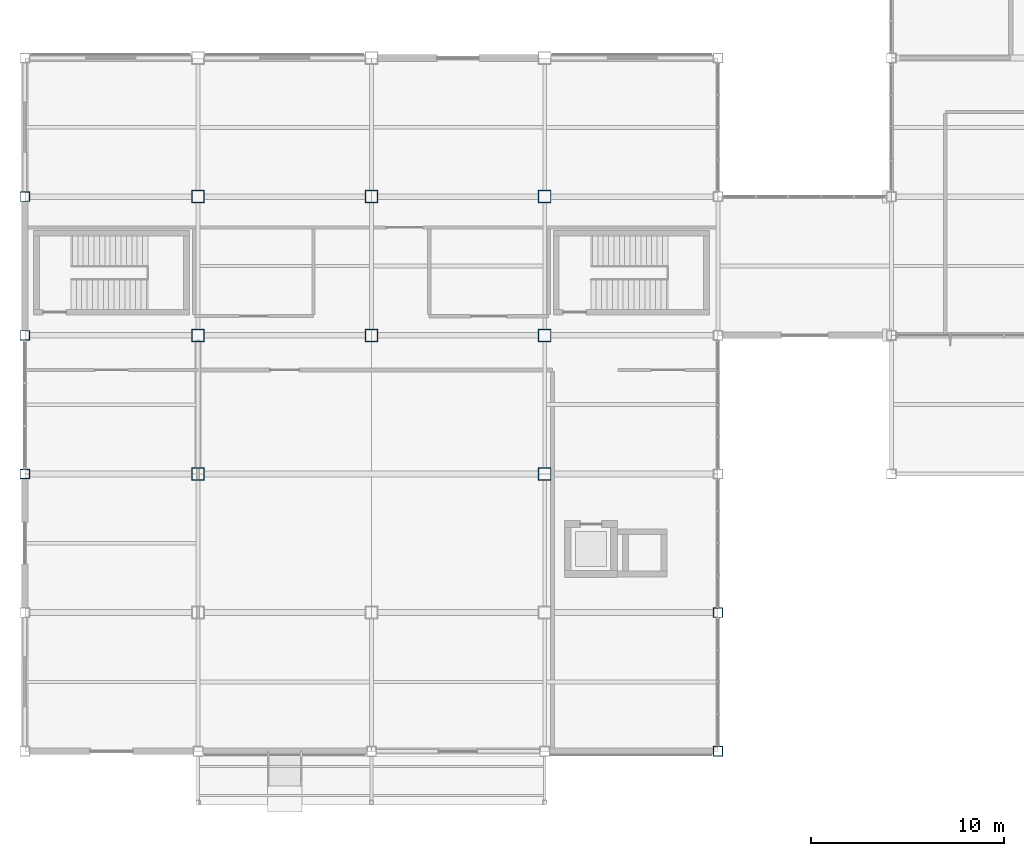
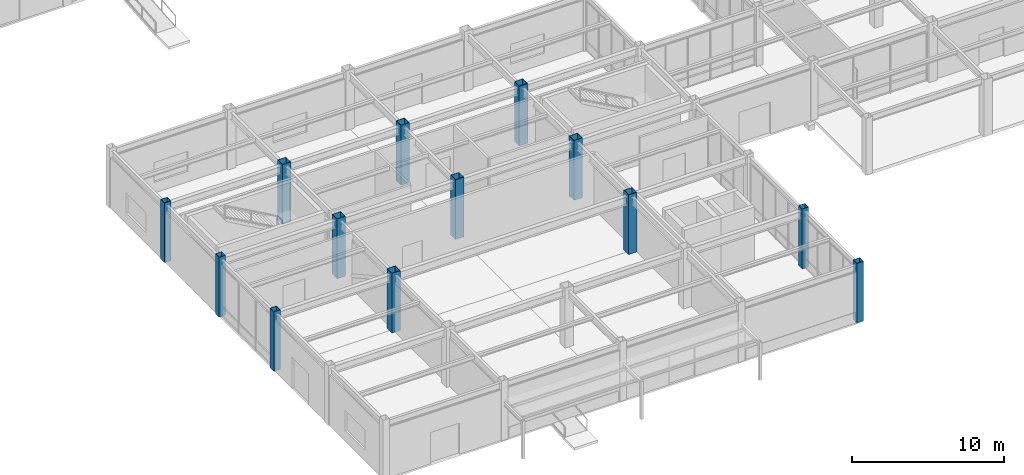
# One storey, part 2 of 112: 13 columns.
"""IFC4 building model written with IfcOpenShell, lengths in metres."""

from ifc_helpers import new_model, si_unit, direction, frame, origin, origin_2d, place, context, subcontext, project, spatial, hollow_rectangle, extrude, material, material_profile, profile_set, type_object, element, save


model = new_model("IFC4")

# Units and contexts
model_context = context("Model", 3, precision=1e-05, world=origin(), true_north=direction((0.0, 1.0)))
body_context = subcontext(model_context, "Body", "Model", "MODEL_VIEW")
ifc_project = project(units=[si_unit("LENGTHUNIT", "METRE"), si_unit("AREAUNIT", "SQUARE_METRE"), si_unit("VOLUMEUNIT", "CUBIC_METRE"), si_unit("PLANEANGLEUNIT", "RADIAN"), si_unit("MASSUNIT", "GRAM", prefix="KILO")], contexts=[model_context])

# Site, building, storey
site_placement = place(None, origin())
site = spatial("IfcSite", under=ifc_project, at=site_placement, CompositionType="ELEMENT")
building_placement = place(site_placement, origin())
building = spatial("IfcBuilding", under=site, at=building_placement, Name="Kazanami Central Library", CompositionType="ELEMENT")
storey_placement = place(building_placement, origin())
storey = spatial("IfcBuildingStorey", under=building, at=storey_placement, Name="L01", CompositionType="ELEMENT", Elevation=0.0)

# Columns
ifc_material = material(Name="Steel BCP325 (325 MPa)", Category="steel")
ifc_material_profile_1 = material_profile(ifc_material, hollow_rectangle(XDim=0.5, YDim=0.5, WallThickness=0.02197265625, at=origin_2d()), Name="BCP-500x500x22")
ifc_profile_set_1 = profile_set([ifc_material_profile_1], Name="Steel BCP325 (325 MPa)")
column_type_1 = type_object("IfcColumnType", Name="COL-C-P1E", PredefinedType="COLUMN", material=ifc_profile_set_1)
for number, where, z_axis, x_axis, name in (
    (1, (0.0, 14.39990234375, 0.0), (0.0, 0.0, 1.0), (1.0, 0.0, 0.0), "Column C-P1E L01 1/C"),
    (2, (0.0, 21.60009765625, 0.0), (0.0, 0.0, 1.0), (1.0, 0.0, 0.0), "Column C-P1E L01 1/D"),
    (3, (0.0, 28.800048828125, 0.0), (0.0, 0.0, 1.0), (1.0, 0.0, 0.0), "Column C-P1E L01 1/E"),
    (4, (36.0, 0.0, 0.0), (0.0, 0.0, 1.0), (1.0, 0.0, 0.0), "Column C-P1E L01 5/A"),
    (5, (36.0, 7.199951171875, 0.0), (0.0, 0.0, 1.0), (1.0, 0.0, 0.0), "Column C-P1E L01 5/B"),
):
    element("IfcColumn", number, at=place(storey_placement, frame(where, z_axis=z_axis, x_axis=x_axis)), inside=storey, type_object=column_type_1, Name=name, PredefinedType="COLUMN", context=body_context, shape_type="SweptSolid", body=[
        extrude(hollow_rectangle(XDim=0.5, YDim=0.5, WallThickness=0.02197265625, at=origin_2d()), origin(), (0.0, 0.0, 1.0), 4.800048828125),
    ])
ifc_material_profile_2 = material_profile(ifc_material, hollow_rectangle(XDim=0.64990234375, YDim=0.64990234375, WallThickness=0.02490234375, at=origin_2d()), Name="BCP-650x650x25")
ifc_profile_set_2 = profile_set([ifc_material_profile_2], Name="Steel BCP325 (325 MPa)")
column_type_2 = type_object("IfcColumnType", Name="COL-C-P1I", PredefinedType="COLUMN", material=ifc_profile_set_2)
for number, where, z_axis, x_axis, name in (
    (6, (9.0, 14.39990234375, 0.0), (0.0, 0.0, 1.0), (1.0, 0.0, 0.0), "Column C-P1I L01 2/C"),
    (7, (9.0, 21.60009765625, 0.0), (0.0, 0.0, 1.0), (1.0, 0.0, 0.0), "Column C-P1I L01 2/D"),
    (8, (9.0, 28.800048828125, 0.0), (0.0, 0.0, 1.0), (1.0, 0.0, 0.0), "Column C-P1I L01 2/E"),
    (9, (18.0, 21.60009765625, 0.0), (0.0, 0.0, 1.0), (1.0, 0.0, 0.0), "Column C-P1I L01 3/D"),
    (10, (18.0, 28.800048828125, 0.0), (0.0, 0.0, 1.0), (1.0, 0.0, 0.0), "Column C-P1I L01 3/E"),
    (11, (27.0, 14.39990234375, 0.0), (0.0, 0.0, 1.0), (1.0, 0.0, 0.0), "Column C-P1I L01 4/C"),
    (12, (27.0, 21.60009765625, 0.0), (0.0, 0.0, 1.0), (1.0, 0.0, 0.0), "Column C-P1I L01 4/D"),
    (13, (27.0, 28.800048828125, 0.0), (0.0, 0.0, 1.0), (1.0, 0.0, 0.0), "Column C-P1I L01 4/E"),
):
    element("IfcColumn", number, at=place(storey_placement, frame(where, z_axis=z_axis, x_axis=x_axis)), inside=storey, type_object=column_type_2, Name=name, PredefinedType="COLUMN", context=body_context, shape_type="SweptSolid", body=[
        extrude(hollow_rectangle(XDim=0.64990234375, YDim=0.64990234375, WallThickness=0.02490234375, at=origin_2d()), origin(), (0.0, 0.0, 1.0), 4.800048828125),
    ])

save(model, "model.ifc")
